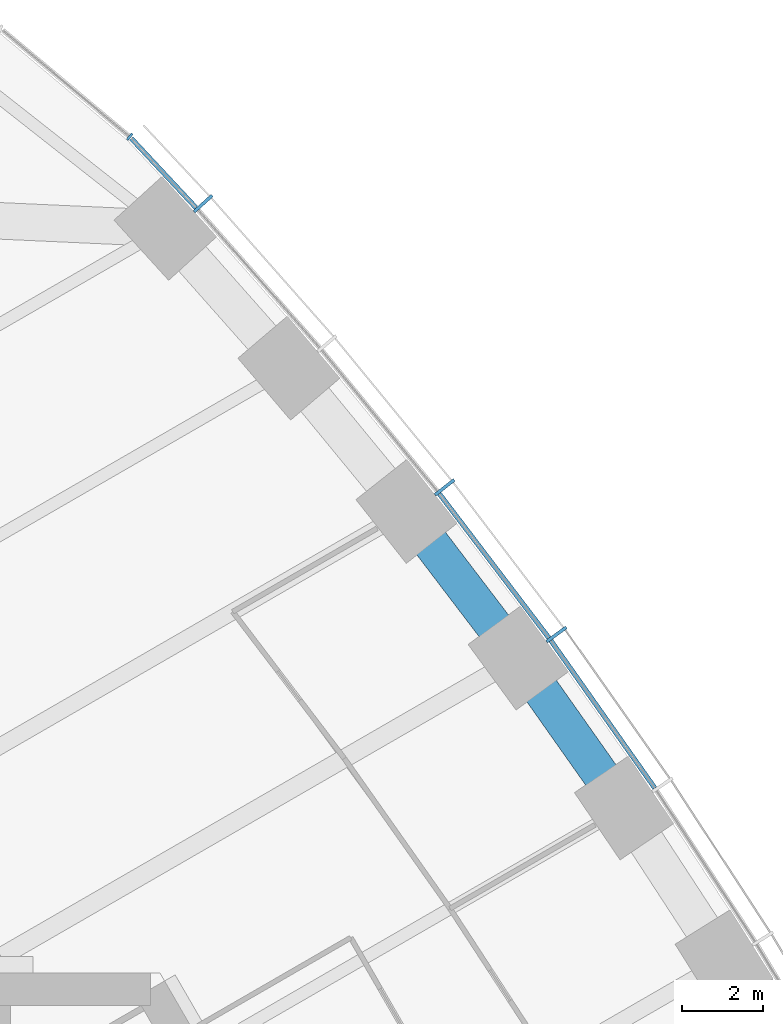
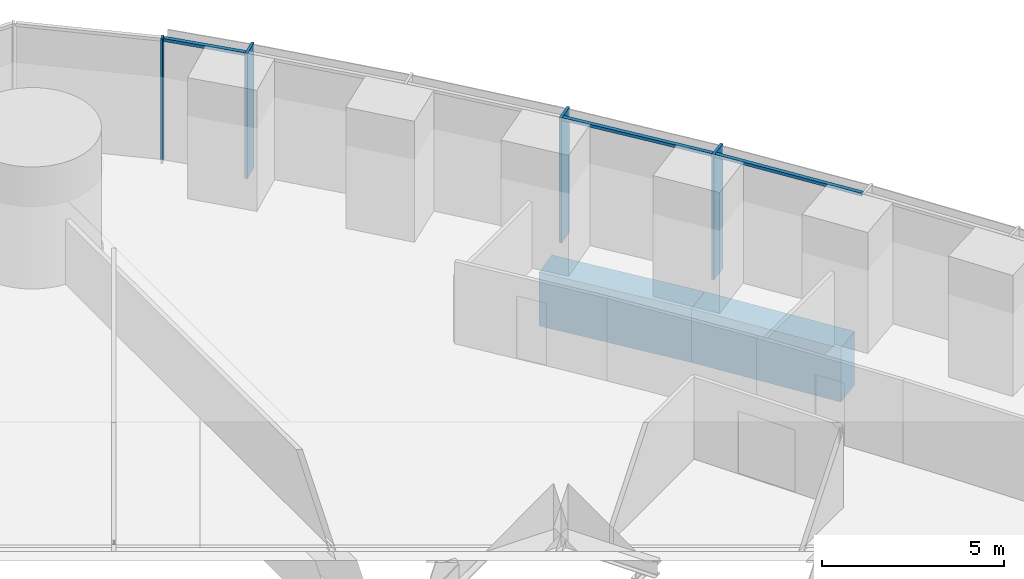
# One storey, part 6 of 18: 7 members, 2 beams, 2 elements without a shape of their own.
"""IFC4 building model written with IfcOpenShell, lengths in metres."""

import ifcopenshell
import ifcopenshell.guid

model = None  # the IFC model being written
_history = None  # IfcOwnerHistory: only IFC2X3 demands one
_inside = {}  # id of a spatial element -> (the spatial element, [elements in it])
_under = {}  # id of a project, library or spatial element -> (it, [spatial elements below it])
_declared = {}  # id of a project -> (the project, [libraries it declares])
_typed = {}  # id of a type object -> (the type object, [elements of that type])
_made_of = {}  # id of a material, layer set ... -> (it, [elements and type objects made of it])


def new_model(schema):
    """Start an empty IFC model of exactly this schema.

    Asked for "IFC4X3", IfcOpenShell would pick the latest addendum, in which some entities
    have other attributes; the version numbers below select the first issue.
    IFC2X3 requires an IfcOwnerHistory on every rooted entity: one is made here for all.
    """
    global model, _history
    if schema == "IFC4X3":
        model = ifcopenshell.file(schema_version=(4, 3, 0, 0))
    else:
        model = ifcopenshell.file(schema=schema)
    _inside.clear()
    _under.clear()
    _declared.clear()
    _typed.clear()
    _made_of.clear()
    _history = None
    if model.schema == "IFC2X3":
        org = make("IfcOrganization", Name="unknown")
        user = make(
            "IfcPersonAndOrganization",
            ThePerson=make("IfcPerson", FamilyName="unknown"),
            TheOrganization=org,
        )
        app = make(
            "IfcApplication",
            ApplicationDeveloper=org,
            Version="unknown",
            ApplicationFullName="unknown",
            ApplicationIdentifier="unknown",
        )
        _history = make(
            "IfcOwnerHistory",
            OwningUser=user,
            OwningApplication=app,
            ChangeAction="ADDED",
            CreationDate=0,
        )
    return model


def make(cls, **values):
    """One entity of the class cls with the attributes given. An attribute that is None is left unset."""
    return model.create_entity(
        cls, **{name: value for name, value in values.items() if value is not None}
    )


def rooted(cls, **values):
    """An entity with a GlobalId (a new one), such as an element, a storey or a relation."""
    return make(cls, GlobalId=ifcopenshell.guid.new(), OwnerHistory=_history, **values)


def si_unit(unit_type, name, prefix=None):
    """IfcSIUnit, for example si_unit("LENGTHUNIT", "METRE", prefix="MILLI")."""
    return make("IfcSIUnit", UnitType=unit_type, Prefix=prefix, Name=name)


def assignment(units):
    """IfcUnitAssignment: the units of a project."""
    return None if units is None else make("IfcUnitAssignment", Units=units)


def point(xyz):
    """IfcCartesianPoint."""
    return None if xyz is None else make("IfcCartesianPoint", Coordinates=xyz)


def direction(xyz):
    """IfcDirection."""
    return None if xyz is None else make("IfcDirection", DirectionRatios=xyz)


def frame(location, z_axis=None, x_axis=None):
    """IfcAxis2Placement3D, a coordinate frame: its origin and axes. An axis left out is left unset."""
    return make(
        "IfcAxis2Placement3D",
        Location=point(location),
        Axis=direction(z_axis),
        RefDirection=direction(x_axis),
    )


def frame_2d(location, x_axis=None):
    """IfcAxis2Placement2D, a coordinate frame in the plane: its origin and x axis."""
    return make(
        "IfcAxis2Placement2D", Location=point(location), RefDirection=direction(x_axis)
    )


def origin():
    """The frame at (0, 0, 0) with its axes left unset."""
    return frame((0.0, 0.0, 0.0))


def origin_2d():
    """The frame at (0, 0) in the plane with its x axis left unset."""
    return frame_2d((0.0, 0.0))


def place(relative_to, where):
    """IfcLocalPlacement: puts the frame where relative to a parent placement (None: the world)."""
    return make(
        "IfcLocalPlacement", PlacementRelTo=relative_to, RelativePlacement=where
    )


def context(
    kind, dimensions, precision=None, world=None, true_north=None, identifier=None
):
    """IfcGeometricRepresentationContext, for example the 3D "Model" context."""
    return make(
        "IfcGeometricRepresentationContext",
        ContextIdentifier=identifier,
        ContextType=kind,
        CoordinateSpaceDimension=dimensions,
        Precision=precision,
        WorldCoordinateSystem=world,
        TrueNorth=true_north,
    )


def subcontext(parent, identifier, kind, view, scale=None):
    """IfcGeometricRepresentationSubContext, for example "Body" below "Model"."""
    return make(
        "IfcGeometricRepresentationSubContext",
        ContextIdentifier=identifier,
        ContextType=kind,
        ParentContext=parent,
        TargetScale=scale,
        TargetView=view,
    )


def project(units=None, contexts=None):
    """IfcProject with its units and contexts."""
    return rooted(
        "IfcProject",
        Name="project",
        RepresentationContexts=contexts,
        UnitsInContext=assignment(units),
    )


def spatial(cls, under=None, at=None, **own):
    """A site, building, storey or space (cls), placed at a placement, below another one or the project."""
    s = rooted(cls, ObjectPlacement=at, **own)
    if under is not None:
        _under.setdefault(under.id(), (under, []))[1].append(s)
    return s


def profile(cls, at=None, kind="AREA", **sizes):
    """A parametric profile (cls). Its sizes go by their IFC names, for example OverallWidth=200.0."""
    return make(cls, ProfileType=kind, Position=at, **sizes)


def rectangle(**sizes):
    """IfcRectangleProfileDef."""
    return profile("IfcRectangleProfileDef", **sizes)


def extrude(swept, where, along, depth):
    """IfcExtrudedAreaSolid: the profile swept, set in the frame where, extruded along a direction by depth."""
    return make(
        "IfcExtrudedAreaSolid",
        SweptArea=swept,
        Position=where,
        ExtrudedDirection=direction(along),
        Depth=depth,
    )


def shape(context_of_items, identifier, shape_type, items):
    """IfcShapeRepresentation: the items that make up one representation, for example the "Body"."""
    return make(
        "IfcShapeRepresentation",
        ContextOfItems=context_of_items,
        RepresentationIdentifier=identifier,
        RepresentationType=shape_type,
        Items=items,
    )


def material(Name=None, Category=None):
    """IfcMaterial."""
    return make("IfcMaterial", Name=Name, Category=Category)


def material_profile(
    of_material, cross_section, Name=None, Category=None, Priority=None
):
    """IfcMaterialProfile: a cross section and its material."""
    return make(
        "IfcMaterialProfile",
        Name=Name,
        Material=of_material,
        Profile=cross_section,
        Priority=Priority,
        Category=Category,
    )


def profile_set(profiles, Name=None, composite=None):
    """IfcMaterialProfileSet."""
    return make(
        "IfcMaterialProfileSet",
        Name=Name,
        MaterialProfiles=profiles,
        CompositeProfile=composite,
    )


def made_of(thing, what):
    """Note that an element or type object is made of a material, layer set ...; save() writes the relation."""
    if what is not None:
        _made_of.setdefault(what.id(), (what, []))[1].append(thing)
    return thing


def type_object(cls, material=None, **own):
    """A type object (cls), such as IfcWallType, which elements share."""
    return made_of(rooted(cls, **own), material)


def element(
    cls,
    number,
    at=None,
    inside=None,
    cuts=None,
    type_object=None,
    material=None,
    context=None,
    identifier="Body",
    shape_type=None,
    held_by="IfcProductDefinitionShape",
    body=None,
    shapes=None,
    **own,
):
    """One element of the class cls, such as IfcWall. Its Tag is "e" and its number.

    at: its placement. inside: the storey or other place that contains it. cuts: it is an
    opening in that element (IfcRelVoidsElement). A single representation is given by context,
    identifier, shape_type and body (its items); several are given by shapes. held_by: the class
    of the entity that holds the representations. save() writes the other relations.
    """
    e = rooted(cls, Tag="e%d" % number, ObjectPlacement=at, **own)
    if body is not None:
        shapes = [shape(context, identifier, shape_type, body)]
    if shapes is not None:
        e.Representation = make(held_by, Representations=shapes)
    if inside is not None:
        _inside.setdefault(inside.id(), (inside, []))[1].append(e)
    if cuts is not None:
        rooted(
            "IfcRelVoidsElement", RelatingBuildingElement=cuts, RelatedOpeningElement=e
        )
    if type_object is not None:
        _typed.setdefault(type_object.id(), (type_object, []))[1].append(e)
    return made_of(e, material)


def aggregate(whole, parts):
    """IfcRelAggregates: a whole, such as a stair, and the parts it consists of."""
    return rooted("IfcRelAggregates", RelatingObject=whole, RelatedObjects=parts)


def save(model, path):
    """Write the relations noted so far, then the file.

    IfcRelAggregates (storeys below a building ...), IfcRelContainedInSpatialStructure (elements
    in a storey), IfcRelDefinesByType, IfcRelAssociatesMaterial and IfcRelDeclares: one each for
    every whole, place, type object, material and project.
    """
    for whole, parts in _under.values():
        aggregate(whole, parts)
    for where, things in _inside.values():
        rooted(
            "IfcRelContainedInSpatialStructure",
            RelatedElements=things,
            RelatingStructure=where,
        )
    for kind, things in _typed.values():
        rooted("IfcRelDefinesByType", RelatedObjects=things, RelatingType=kind)
    for what, things in _made_of.values():
        rooted("IfcRelAssociatesMaterial", RelatedObjects=things, RelatingMaterial=what)
    for by, libraries in _declared.values():
        rooted("IfcRelDeclares", RelatingContext=by, RelatedDefinitions=libraries)
    model.write(path)


model = new_model("IFC4")

# Units and contexts
model_context = context("Model", 3, precision=1e-05, world=origin(), true_north=direction((0.0, 1.0)))
body_context = subcontext(model_context, "Body", "Model", "MODEL_VIEW")
ifc_project = project(units=[si_unit("LENGTHUNIT", "METRE"), si_unit("AREAUNIT", "SQUARE_METRE"), si_unit("VOLUMEUNIT", "CUBIC_METRE"), si_unit("PLANEANGLEUNIT", "RADIAN"), si_unit("MASSUNIT", "GRAM", prefix="KILO")], contexts=[model_context])

# Site, building, storey
site_placement = place(None, origin())
site = spatial("IfcSite", under=ifc_project, at=site_placement, CompositionType="ELEMENT")
building_placement = place(site_placement, origin())
building = spatial("IfcBuilding", under=site, at=building_placement, Name="Trefoil Bronze Tower", CompositionType="ELEMENT")
storey_placement = place(building_placement, frame((0.0, 0.0, 170.300048828125)))
storey = spatial("IfcBuildingStorey", under=building, at=storey_placement, Name="L39", CompositionType="ELEMENT", Elevation=170.300048828125)

# Curtain wall, members
ifc_material_1 = material(Name="Tinted solar-control glass", Category="glass")
curtain_wall_type_1 = type_object("IfcCurtainWallType", Name="Bronze office curtain wall", PredefinedType="USERDEFINED", material=ifc_material_1)
curtain_wall_1_placement = place(storey_placement, origin())
curtain_wall_1 = element("IfcCurtainWall", 1, at=curtain_wall_1_placement, inside=storey, type_object=curtain_wall_type_1, Name="CW-A L39 F2", ObjectType="CURTAIN WALL", PredefinedType="USERDEFINED")
ifc_material_2 = material(Name="Bronze-finish aluminium", Category="aluminium")
ifc_material_profile_1 = material_profile(ifc_material_2, rectangle(XDim=0.60009765625, YDim=0.080078125, at=origin_2d()), Name="CW-A mullion")
ifc_profile_set_1 = profile_set([ifc_material_profile_1], Name="Bronze-finish aluminium")
member_type_1 = type_object("IfcMemberType", Name="Bronze office curtain wall mullion", PredefinedType="MULLION", material=ifc_profile_set_1)
member_1_placement = place(storey_placement, frame((15.764404296875, 24.7275390625, 0.0), z_axis=(0.0, 0.0, 1.0), x_axis=(-0.806874522901, -0.590722865897, 0.0)))
member_1 = element("IfcMember", 2, at=member_1_placement, type_object=member_type_1, Name="CW-A L39 F2 mullion 11", PredefinedType="MULLION", context=body_context, shape_type="SweptSolid", body=[
    extrude(rectangle(XDim=0.60009765625, YDim=0.080078125, at=origin_2d()), origin(), (0.0, 0.0, 1.0), 4.179931640625),
])
member_2_placement = place(storey_placement, frame((13.01220703125, 28.34716796875, 0.0), z_axis=(0.0, 0.0, 1.0), x_axis=(-0.78487913905, -0.619648882098, 0.0)))
member_2 = element("IfcMember", 3, at=member_2_placement, type_object=member_type_1, Name="CW-A L39 F2 mullion 12", PredefinedType="MULLION", context=body_context, shape_type="SweptSolid", body=[
    extrude(rectangle(XDim=0.60009765625, YDim=0.080078125, at=origin_2d()), origin(), (0.0, 0.0, 1.0), 4.179931640625),
])
member_3_placement = place(storey_placement, frame((7.070068359375, 35.332275390625, 0.0), z_axis=(0.0, 0.0, 1.0), x_axis=(-0.740360700327, -0.672209813534, 0.0)))
member_3 = element("IfcMember", 4, at=member_3_placement, type_object=member_type_1, Name="CW-A L39 F2 mullion 14", PredefinedType="MULLION", context=body_context, shape_type="SweptSolid", body=[
    extrude(rectangle(XDim=0.60009765625, YDim=0.080078125, at=origin_2d()), origin(), (0.0, 0.0, 1.0), 4.179931640625),
])
ifc_material_3 = material(Name="Bronze-finish aluminium", Category="aluminium")
ifc_material_profile_2 = material_profile(ifc_material_3, rectangle(XDim=0.1201171875, YDim=0.10009765625, at=origin_2d()), Name="CW-A transom")
ifc_profile_set_2 = profile_set([ifc_material_profile_2], Name="Bronze-finish aluminium")
member_type_2 = type_object("IfcMemberType", Name="Bronze office curtain wall transom", PredefinedType="USERDEFINED", material=ifc_profile_set_2)
member_4_placement = place(storey_placement, frame((18.18359375, 20.947021484375, 4.1298828125), z_axis=(-0.576017858824, 0.817437108478, 0.0), x_axis=(-0.817437108478, -0.576017858824, 0.0)))
member_4 = element("IfcMember", 5, at=member_4_placement, type_object=member_type_2, Name="CW-A L39 F2 transom 10", ObjectType="TRANSOM", PredefinedType="USERDEFINED", context=body_context, shape_type="SweptSolid", body=[
    extrude(rectangle(XDim=0.1201171875, YDim=0.10009765625, at=origin_2d()), origin(), (0.0, 0.0, 1.0), 4.4384765625),
])
member_5_placement = place(storey_placement, frame((15.57763671875, 24.642578125, 4.1298828125), z_axis=(-0.605229114572, 0.796051329296, 0.0), x_axis=(-0.796051329296, -0.605229114572, 0.0)))
member_5 = element("IfcMember", 6, at=member_5_placement, type_object=member_type_2, Name="CW-A L39 F2 transom 11", ObjectType="TRANSOM", PredefinedType="USERDEFINED", context=body_context, shape_type="SweptSolid", body=[
    extrude(rectangle(XDim=0.1201171875, YDim=0.10009765625, at=origin_2d()), origin(), (0.0, 0.0, 1.0), 4.456298828125),
])
member_6_placement = place(storey_placement, frame((6.893798828125, 35.22802734375, 4.1298828125), z_axis=(-0.682489214428, 0.730895664366, 0.0), x_axis=(-0.730895664366, -0.682489214428, 0.0)))
member_6 = element("IfcMember", 7, at=member_6_placement, type_object=member_type_2, Name="CW-A L39 F2 transom 14", ObjectType="TRANSOM", PredefinedType="USERDEFINED", context=body_context, shape_type="SweptSolid", body=[
    extrude(rectangle(XDim=0.1201171875, YDim=0.10009765625, at=origin_2d()), origin(), (0.0, 0.0, 1.0), 2.340087890625),
])
aggregate(curtain_wall_1, [member_1, member_2, member_3, member_4, member_5, member_6])

# Curtain wall, member
ifc_material_4 = material(Name="Tinted solar-control glass", Category="glass")
curtain_wall_type_2 = type_object("IfcCurtainWallType", Name="Bronze rounded corner curtain wall", PredefinedType="USERDEFINED", material=ifc_material_4)
curtain_wall_2_placement = place(storey_placement, origin())
curtain_wall_2 = element("IfcCurtainWall", 8, at=curtain_wall_2_placement, inside=storey, type_object=curtain_wall_type_2, Name="CW-B L39 K2", ObjectType="CURTAIN WALL", PredefinedType="USERDEFINED")
ifc_material_5 = material(Name="Bronze-finish aluminium", Category="aluminium")
ifc_material_profile_3 = material_profile(ifc_material_5, rectangle(XDim=0.199951171875, YDim=0.06005859375, at=origin_2d()), Name="CW-B mullion")
ifc_profile_set_3 = profile_set([ifc_material_profile_3], Name="Bronze-finish aluminium")
member_type_3 = type_object("IfcMemberType", Name="Bronze rounded corner curtain wall mullion", PredefinedType="MULLION", material=ifc_profile_set_3)
member_7_placement = place(storey_placement, frame((5.260498046875, 36.975830078125, 0.0), z_axis=(0.0, 0.0, 1.0), x_axis=(-0.642787609687, -0.766044443119, 0.0)))
member_7 = element("IfcMember", 9, at=member_7_placement, type_object=member_type_3, Name="CW-B L39 K2 mullion 1", PredefinedType="MULLION", context=body_context, shape_type="SweptSolid", body=[
    extrude(rectangle(XDim=0.199951171875, YDim=0.06005859375, at=origin_2d()), origin(), (0.0, 0.0, 1.0), 4.179931640625),
])
aggregate(curtain_wall_2, [member_7])

# Beams
ifc_material_6 = material(Name="Concrete B80", Category="concrete")
ifc_material_profile_4 = material_profile(ifc_material_6, rectangle(XDim=0.89990234375, YDim=1.800048828125, at=origin_2d()), Name="RC 900x1800")
ifc_profile_set_4 = profile_set([ifc_material_profile_4], Name="Concrete B80")
beam_type = type_object("IfcBeamType", Name="Spandrel beam RC 900x1800", PredefinedType="SPANDREL", material=ifc_profile_set_4)
beam_1_placement = place(storey_placement, frame((17.43017578125, 20.45556640625, -1.10009765625), z_axis=(-0.576439228712, 0.81714002203, 0.0), x_axis=(-0.81714002203, -0.576439228712, 0.0)))
element("IfcBeam", 10, at=beam_1_placement, inside=storey, type_object=beam_type, Name="Spandrel F2.10 L39", PredefinedType="SPANDREL", context=body_context, shape_type="SweptSolid", body=[
    extrude(rectangle(XDim=0.89990234375, YDim=1.800048828125, at=origin_2d()), origin(), (0.0, 0.0, 1.0), 4.5185546875),
])
beam_2_placement = place(storey_placement, frame((14.825439453125, 24.14794921875, -1.10009765625), z_axis=(-0.605898901788, 0.795541652468, 0.0), x_axis=(-0.795541652468, -0.605898901788, 0.0)))
element("IfcBeam", 11, at=beam_2_placement, inside=storey, type_object=beam_type, Name="Spandrel F2.11 L39", PredefinedType="SPANDREL", context=body_context, shape_type="SweptSolid", body=[
    extrude(rectangle(XDim=0.89990234375, YDim=1.800048828125, at=origin_2d()), origin(), (0.0, 0.0, 1.0), 4.53662109375),
])

save(model, "model.ifc")
